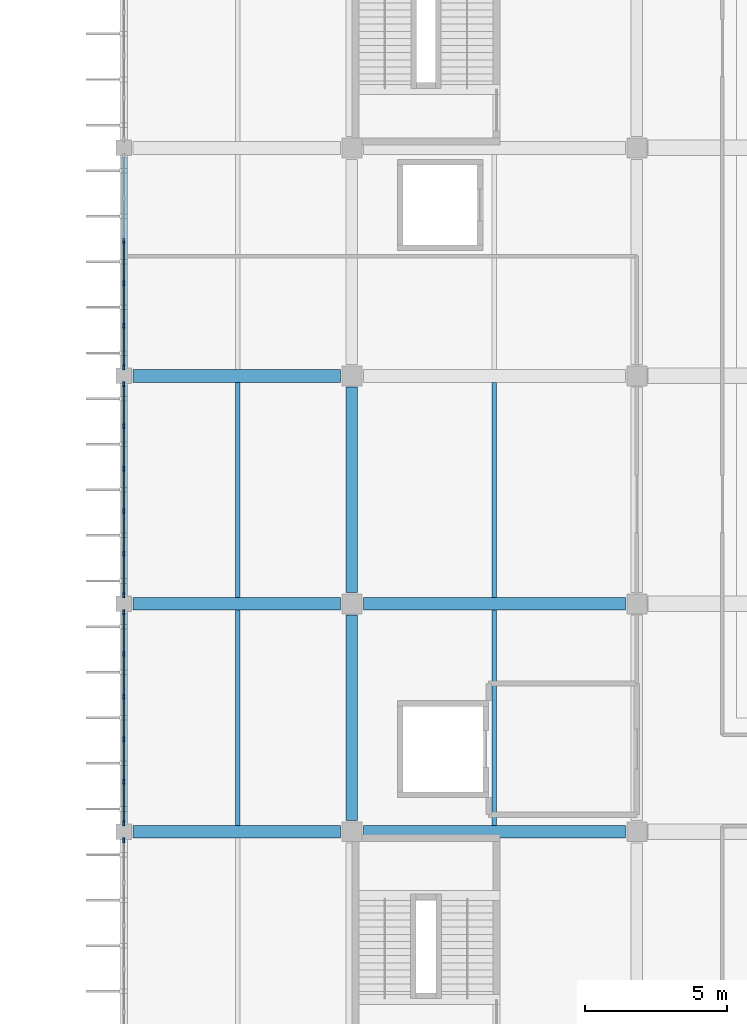
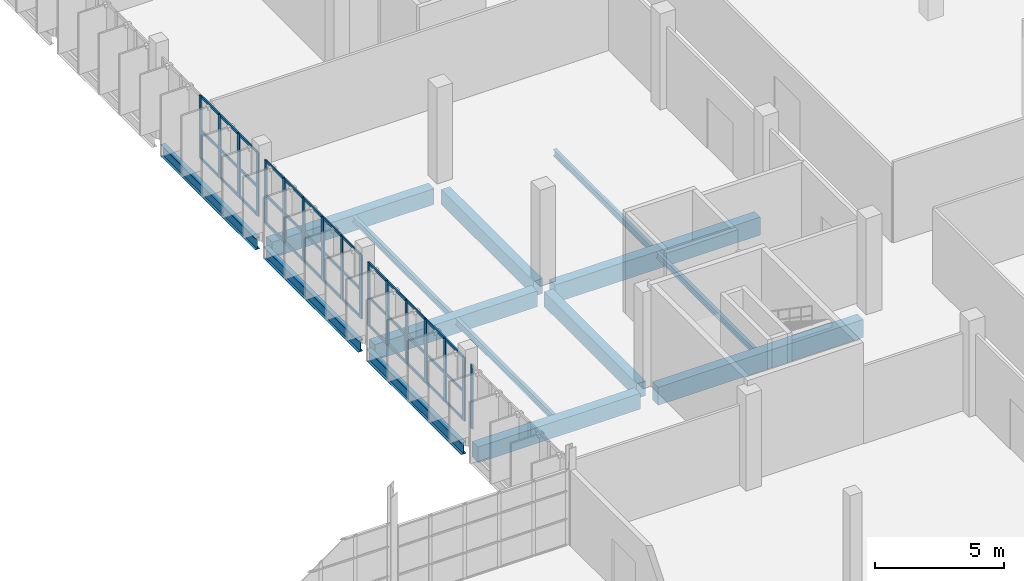
# One storey, part 43 of 93: 56 members, 14 beams, 4 elements without a shape of their own.
"""IFC4 building model written with IfcOpenShell, lengths in metres."""

from ifc_helpers import new_model, si_unit, direction, frame, origin, origin_2d, place, context, subcontext, project, spatial, rectangle, i_section, extrude, material, layer, layer_set, material_profile, profile_set, type_object, element, aggregate, save


model = new_model("IFC4")

# Units and contexts
model_context = context("Model", 3, precision=1e-05, world=origin(), true_north=direction((0.0, 1.0)))
body_context = subcontext(model_context, "Body", "Model", "MODEL_VIEW")
ifc_project = project(units=[si_unit("LENGTHUNIT", "METRE"), si_unit("AREAUNIT", "SQUARE_METRE"), si_unit("VOLUMEUNIT", "CUBIC_METRE"), si_unit("PLANEANGLEUNIT", "RADIAN"), si_unit("MASSUNIT", "GRAM", prefix="KILO")], contexts=[model_context])

# Site, building, storey
site_placement = place(None, origin())
site = spatial("IfcSite", under=ifc_project, at=site_placement, CompositionType="ELEMENT")
building_placement = place(site_placement, origin())
building = spatial("IfcBuilding", under=site, at=building_placement, Name="Drelvana Railside Aquatics Centre", CompositionType="ELEMENT")
storey_placement = place(building_placement, frame((0.0, 0.0, 5.39990234375)))
storey = spatial("IfcBuildingStorey", under=building, at=storey_placement, Name="L01", CompositionType="ELEMENT", Elevation=5.39990234375)

# Curtain wall, member
ifc_material_1 = material(Name="Bronze-anodised aluminium curtain wall", Category="aluminium")
ifc_layer = layer(ifc_material_1, 0.175048828125, Name="Bronze-anodised aluminium curtain wall")
ifc_layer_set = layer_set([ifc_layer], Name="Bronze-anodised aluminium curtain wall")
curtain_wall_type = type_object("IfcCurtainWallType", Name="CW-Z6-WING", PredefinedType="NOTDEFINED", material=ifc_layer_set)
curtain_wall_1_placement = place(storey_placement, origin())
curtain_wall_1 = element("IfcCurtainWall", 1, at=curtain_wall_1_placement, inside=storey, type_object=curtain_wall_type, Name="Curtain wall CW-06-137", PredefinedType="NOTDEFINED")
ifc_material_2 = material(Name="Bronze-anodised aluminium 6063-T6", Category="aluminium")
ifc_material_profile_1 = material_profile(ifc_material_2, rectangle(XDim=0.06494140625, YDim=0.175048828125, at=origin_2d()), Name="ALU-M 65x175")
ifc_profile_set_1 = profile_set([ifc_material_profile_1], Name="Bronze-anodised aluminium 6063-T6")
member_type_1 = type_object("IfcMemberType", Name="CW-Z6-WING-MUL", PredefinedType="MULLION", material=ifc_profile_set_1)
member_1_placement = place(storey_placement, frame((144.0, 31.698486328125, 0.794189453125), z_axis=(0.0, 0.0, 1.0), x_axis=(-1.0, 0.0, 0.0)))
member_1 = element("IfcMember", 2, at=member_1_placement, type_object=member_type_1, Name="CW-06 mullion 6", PredefinedType="MULLION", context=body_context, shape_type="SweptSolid", body=[
    extrude(rectangle(XDim=0.06494140625, YDim=0.175048828125, at=origin_2d()), origin(), (0.0, 0.0, 1.0), 3.005859375),
])
aggregate(curtain_wall_1, [member_1])

# Curtain wall, members
curtain_wall_2_placement = place(storey_placement, origin())
curtain_wall_2 = element("IfcCurtainWall", 3, at=curtain_wall_2_placement, inside=storey, type_object=curtain_wall_type, Name="Curtain wall CW-06-141", PredefinedType="NOTDEFINED")
member_2_placement = place(storey_placement, frame((144.0, 32.301513671875, 0.794189453125), z_axis=(0.0, 0.0, 1.0), x_axis=(-1.0, 0.0, 0.0)))
member_2 = element("IfcMember", 4, at=member_2_placement, type_object=member_type_1, Name="CW-06 mullion 1", PredefinedType="MULLION", context=body_context, shape_type="SweptSolid", body=[
    extrude(rectangle(XDim=0.06494140625, YDim=0.175048828125, at=origin_2d()), origin(), (0.0, 0.0, 1.0), 3.005859375),
])
member_3_placement = place(storey_placement, frame((144.0, 33.761474609375, 0.794189453125), z_axis=(0.0, 0.0, 1.0), x_axis=(-1.0, 0.0, 0.0)))
member_3 = element("IfcMember", 5, at=member_3_placement, type_object=member_type_1, Name="CW-06 mullion 2", PredefinedType="MULLION", context=body_context, shape_type="SweptSolid", body=[
    extrude(rectangle(XDim=0.06494140625, YDim=0.175048828125, at=origin_2d()), origin(), (0.0, 0.0, 1.0), 3.005859375),
])
member_4_placement = place(storey_placement, frame((144.0, 35.25390625, 0.794189453125), z_axis=(0.0, 0.0, 1.0), x_axis=(-1.0, 0.0, 0.0)))
member_4 = element("IfcMember", 6, at=member_4_placement, type_object=member_type_1, Name="CW-06 mullion 3", PredefinedType="MULLION", context=body_context, shape_type="SweptSolid", body=[
    extrude(rectangle(XDim=0.06494140625, YDim=0.175048828125, at=origin_2d()), origin(), (0.0, 0.0, 1.0), 3.005859375),
])
member_5_placement = place(storey_placement, frame((144.0, 36.74609375, 0.794189453125), z_axis=(0.0, 0.0, 1.0), x_axis=(-1.0, 0.0, 0.0)))
member_5 = element("IfcMember", 7, at=member_5_placement, type_object=member_type_1, Name="CW-06 mullion 4", PredefinedType="MULLION", context=body_context, shape_type="SweptSolid", body=[
    extrude(rectangle(XDim=0.06494140625, YDim=0.175048828125, at=origin_2d()), origin(), (0.0, 0.0, 1.0), 3.005859375),
])
member_6_placement = place(storey_placement, frame((144.0, 38.238525390625, 0.794189453125), z_axis=(0.0, 0.0, 1.0), x_axis=(-1.0, 0.0, 0.0)))
member_6 = element("IfcMember", 8, at=member_6_placement, type_object=member_type_1, Name="CW-06 mullion 5", PredefinedType="MULLION", context=body_context, shape_type="SweptSolid", body=[
    extrude(rectangle(XDim=0.06494140625, YDim=0.175048828125, at=origin_2d()), origin(), (0.0, 0.0, 1.0), 3.005859375),
])
member_7_placement = place(storey_placement, frame((144.0, 39.698486328125, 0.794189453125), z_axis=(0.0, 0.0, 1.0), x_axis=(-1.0, 0.0, 0.0)))
member_7 = element("IfcMember", 9, at=member_7_placement, type_object=member_type_1, Name="CW-06 mullion 6", PredefinedType="MULLION", context=body_context, shape_type="SweptSolid", body=[
    extrude(rectangle(XDim=0.06494140625, YDim=0.175048828125, at=origin_2d()), origin(), (0.0, 0.0, 1.0), 3.005859375),
])

curtain_wall_3_placement = place(storey_placement, origin())
curtain_wall_3 = element("IfcCurtainWall", 10, at=curtain_wall_3_placement, inside=storey, type_object=curtain_wall_type, Name="Curtain wall CW-06-145", PredefinedType="NOTDEFINED")
member_8_placement = place(storey_placement, frame((144.0, 40.301513671875, 0.794189453125), z_axis=(0.0, 0.0, 1.0), x_axis=(-1.0, 0.0, 0.0)))
member_8 = element("IfcMember", 11, at=member_8_placement, type_object=member_type_1, Name="CW-06 mullion 1", PredefinedType="MULLION", context=body_context, shape_type="SweptSolid", body=[
    extrude(rectangle(XDim=0.06494140625, YDim=0.175048828125, at=origin_2d()), origin(), (0.0, 0.0, 1.0), 3.005859375),
])
member_9_placement = place(storey_placement, frame((144.0, 41.761474609375, 0.794189453125), z_axis=(0.0, 0.0, 1.0), x_axis=(-1.0, 0.0, 0.0)))
member_9 = element("IfcMember", 12, at=member_9_placement, type_object=member_type_1, Name="CW-06 mullion 2", PredefinedType="MULLION", context=body_context, shape_type="SweptSolid", body=[
    extrude(rectangle(XDim=0.06494140625, YDim=0.175048828125, at=origin_2d()), origin(), (0.0, 0.0, 1.0), 3.005859375),
])
member_10_placement = place(storey_placement, frame((144.0, 43.25390625, 0.794189453125), z_axis=(0.0, 0.0, 1.0), x_axis=(-1.0, 0.0, 0.0)))
member_10 = element("IfcMember", 13, at=member_10_placement, type_object=member_type_1, Name="CW-06 mullion 3", PredefinedType="MULLION", context=body_context, shape_type="SweptSolid", body=[
    extrude(rectangle(XDim=0.06494140625, YDim=0.175048828125, at=origin_2d()), origin(), (0.0, 0.0, 1.0), 3.005859375),
])
member_11_placement = place(storey_placement, frame((144.0, 44.74609375, 0.794189453125), z_axis=(0.0, 0.0, 1.0), x_axis=(-1.0, 0.0, 0.0)))
member_11 = element("IfcMember", 14, at=member_11_placement, type_object=member_type_1, Name="CW-06 mullion 4", PredefinedType="MULLION", context=body_context, shape_type="SweptSolid", body=[
    extrude(rectangle(XDim=0.06494140625, YDim=0.175048828125, at=origin_2d()), origin(), (0.0, 0.0, 1.0), 3.005859375),
])
member_12_placement = place(storey_placement, frame((144.0, 46.238525390625, 0.794189453125), z_axis=(0.0, 0.0, 1.0), x_axis=(-1.0, 0.0, 0.0)))
member_12 = element("IfcMember", 15, at=member_12_placement, type_object=member_type_1, Name="CW-06 mullion 5", PredefinedType="MULLION", context=body_context, shape_type="SweptSolid", body=[
    extrude(rectangle(XDim=0.06494140625, YDim=0.175048828125, at=origin_2d()), origin(), (0.0, 0.0, 1.0), 3.005859375),
])
member_13_placement = place(storey_placement, frame((144.0, 47.698486328125, 0.794189453125), z_axis=(0.0, 0.0, 1.0), x_axis=(-1.0, 0.0, 0.0)))
member_13 = element("IfcMember", 16, at=member_13_placement, type_object=member_type_1, Name="CW-06 mullion 6", PredefinedType="MULLION", context=body_context, shape_type="SweptSolid", body=[
    extrude(rectangle(XDim=0.06494140625, YDim=0.175048828125, at=origin_2d()), origin(), (0.0, 0.0, 1.0), 3.005859375),
])

curtain_wall_4_placement = place(storey_placement, origin())
curtain_wall_4 = element("IfcCurtainWall", 17, at=curtain_wall_4_placement, inside=storey, type_object=curtain_wall_type, Name="Curtain wall CW-06-149", PredefinedType="NOTDEFINED")
member_14_placement = place(storey_placement, frame((144.0, 48.301513671875, 0.794189453125), z_axis=(0.0, 0.0, 1.0), x_axis=(-1.0, 0.0, 0.0)))
member_14 = element("IfcMember", 18, at=member_14_placement, type_object=member_type_1, Name="CW-06 mullion 1", PredefinedType="MULLION", context=body_context, shape_type="SweptSolid", body=[
    extrude(rectangle(XDim=0.06494140625, YDim=0.175048828125, at=origin_2d()), origin(), (0.0, 0.0, 1.0), 3.005859375),
])
member_15_placement = place(storey_placement, frame((144.0, 49.761474609375, 0.794189453125), z_axis=(0.0, 0.0, 1.0), x_axis=(-1.0, 0.0, 0.0)))
member_15 = element("IfcMember", 19, at=member_15_placement, type_object=member_type_1, Name="CW-06 mullion 2", PredefinedType="MULLION", context=body_context, shape_type="SweptSolid", body=[
    extrude(rectangle(XDim=0.06494140625, YDim=0.175048828125, at=origin_2d()), origin(), (0.0, 0.0, 1.0), 3.005859375),
])
member_16_placement = place(storey_placement, frame((144.0, 51.25390625, 0.794189453125), z_axis=(0.0, 0.0, 1.0), x_axis=(-1.0, 0.0, 0.0)))
member_16 = element("IfcMember", 20, at=member_16_placement, type_object=member_type_1, Name="CW-06 mullion 3", PredefinedType="MULLION", context=body_context, shape_type="SweptSolid", body=[
    extrude(rectangle(XDim=0.06494140625, YDim=0.175048828125, at=origin_2d()), origin(), (0.0, 0.0, 1.0), 3.005859375),
])
member_17_placement = place(storey_placement, frame((144.0, 52.74609375, 0.794189453125), z_axis=(0.0, 0.0, 1.0), x_axis=(-1.0, 0.0, 0.0)))
member_17 = element("IfcMember", 21, at=member_17_placement, type_object=member_type_1, Name="CW-06 mullion 4", PredefinedType="MULLION", context=body_context, shape_type="SweptSolid", body=[
    extrude(rectangle(XDim=0.06494140625, YDim=0.175048828125, at=origin_2d()), origin(), (0.0, 0.0, 1.0), 3.005859375),
])

# Member
ifc_material_profile_2 = material_profile(ifc_material_2, rectangle(XDim=0.1201171875, YDim=0.06005859375, at=origin_2d()), Name="ALU-T 60x120")
ifc_profile_set_2 = profile_set([ifc_material_profile_2], Name="Bronze-anodised aluminium 6063-T6")
member_type_2 = type_object("IfcMemberType", Name="CW-Z6-WING-TRN", PredefinedType="USERDEFINED", material=ifc_profile_set_2)
member_18_placement = place(storey_placement, frame((144.0, 32.3291015625, 0.82421875), z_axis=(0.0, 1.0, 0.0), x_axis=(0.0, 0.0, 1.0)))
member_18 = element("IfcMember", 22, at=member_18_placement, type_object=member_type_2, Name="CW-06 transom 1.1", ObjectType="TRANSOM", PredefinedType="USERDEFINED", context=body_context, shape_type="SweptSolid", body=[
    extrude(rectangle(XDim=0.1201171875, YDim=0.06005859375, at=origin_2d()), origin(), (0.0, 0.0, 1.0), 1.40478515625),
])

member_19_placement = place(storey_placement, frame((144.0, 32.3291015625, 2.147216796875), z_axis=(0.0, 1.0, 0.0), x_axis=(0.0, 0.0, 1.0)))
member_19 = element("IfcMember", 23, at=member_19_placement, type_object=member_type_2, Name="CW-06 transom 1.2", ObjectType="TRANSOM", PredefinedType="USERDEFINED", context=body_context, shape_type="SweptSolid", body=[
    extrude(rectangle(XDim=0.1201171875, YDim=0.06005859375, at=origin_2d()), origin(), (0.0, 0.0, 1.0), 1.40478515625),
])

member_20_placement = place(storey_placement, frame((144.0, 32.3291015625, 3.77001953125), z_axis=(0.0, 1.0, 0.0), x_axis=(0.0, 0.0, 1.0)))
member_20 = element("IfcMember", 24, at=member_20_placement, type_object=member_type_2, Name="CW-06 transom 1.3", ObjectType="TRANSOM", PredefinedType="USERDEFINED", context=body_context, shape_type="SweptSolid", body=[
    extrude(rectangle(XDim=0.1201171875, YDim=0.06005859375, at=origin_2d()), origin(), (0.0, 0.0, 1.0), 1.40478515625),
])

member_21_placement = place(storey_placement, frame((144.0, 33.788818359375, 0.82421875), z_axis=(0.0, 1.0, 0.0), x_axis=(0.0, 0.0, 1.0)))
member_21 = element("IfcMember", 25, at=member_21_placement, type_object=member_type_2, Name="CW-06 transom 2.1", ObjectType="TRANSOM", PredefinedType="USERDEFINED", context=body_context, shape_type="SweptSolid", body=[
    extrude(rectangle(XDim=0.1201171875, YDim=0.06005859375, at=origin_2d()), origin(), (0.0, 0.0, 1.0), 1.4375),
])

member_22_placement = place(storey_placement, frame((144.0, 33.788818359375, 2.147216796875), z_axis=(0.0, 1.0, 0.0), x_axis=(0.0, 0.0, 1.0)))
member_22 = element("IfcMember", 26, at=member_22_placement, type_object=member_type_2, Name="CW-06 transom 2.2", ObjectType="TRANSOM", PredefinedType="USERDEFINED", context=body_context, shape_type="SweptSolid", body=[
    extrude(rectangle(XDim=0.1201171875, YDim=0.06005859375, at=origin_2d()), origin(), (0.0, 0.0, 1.0), 1.4375),
])

member_23_placement = place(storey_placement, frame((144.0, 33.788818359375, 3.77001953125), z_axis=(0.0, 1.0, 0.0), x_axis=(0.0, 0.0, 1.0)))
member_23 = element("IfcMember", 27, at=member_23_placement, type_object=member_type_2, Name="CW-06 transom 2.3", ObjectType="TRANSOM", PredefinedType="USERDEFINED", context=body_context, shape_type="SweptSolid", body=[
    extrude(rectangle(XDim=0.1201171875, YDim=0.06005859375, at=origin_2d()), origin(), (0.0, 0.0, 1.0), 1.4375),
])

member_24_placement = place(storey_placement, frame((144.0, 35.28125, 0.82421875), z_axis=(0.0, 1.0, 0.0), x_axis=(0.0, 0.0, 1.0)))
member_24 = element("IfcMember", 28, at=member_24_placement, type_object=member_type_2, Name="CW-06 transom 3.1", ObjectType="TRANSOM", PredefinedType="USERDEFINED", context=body_context, shape_type="SweptSolid", body=[
    extrude(rectangle(XDim=0.1201171875, YDim=0.06005859375, at=origin_2d()), origin(), (0.0, 0.0, 1.0), 1.4375),
])

member_25_placement = place(storey_placement, frame((144.0, 35.28125, 2.147216796875), z_axis=(0.0, 1.0, 0.0), x_axis=(0.0, 0.0, 1.0)))
member_25 = element("IfcMember", 29, at=member_25_placement, type_object=member_type_2, Name="CW-06 transom 3.2", ObjectType="TRANSOM", PredefinedType="USERDEFINED", context=body_context, shape_type="SweptSolid", body=[
    extrude(rectangle(XDim=0.1201171875, YDim=0.06005859375, at=origin_2d()), origin(), (0.0, 0.0, 1.0), 1.4375),
])

member_26_placement = place(storey_placement, frame((144.0, 35.28125, 3.77001953125), z_axis=(0.0, 1.0, 0.0), x_axis=(0.0, 0.0, 1.0)))
member_26 = element("IfcMember", 30, at=member_26_placement, type_object=member_type_2, Name="CW-06 transom 3.3", ObjectType="TRANSOM", PredefinedType="USERDEFINED", context=body_context, shape_type="SweptSolid", body=[
    extrude(rectangle(XDim=0.1201171875, YDim=0.06005859375, at=origin_2d()), origin(), (0.0, 0.0, 1.0), 1.4375),
])

member_27_placement = place(storey_placement, frame((144.0, 36.773681640625, 0.82421875), z_axis=(0.0, 1.0, 0.0), x_axis=(0.0, 0.0, 1.0)))
member_27 = element("IfcMember", 31, at=member_27_placement, type_object=member_type_2, Name="CW-06 transom 4.1", ObjectType="TRANSOM", PredefinedType="USERDEFINED", context=body_context, shape_type="SweptSolid", body=[
    extrude(rectangle(XDim=0.1201171875, YDim=0.06005859375, at=origin_2d()), origin(), (0.0, 0.0, 1.0), 1.4375),
])

member_28_placement = place(storey_placement, frame((144.0, 36.773681640625, 2.147216796875), z_axis=(0.0, 1.0, 0.0), x_axis=(0.0, 0.0, 1.0)))
member_28 = element("IfcMember", 32, at=member_28_placement, type_object=member_type_2, Name="CW-06 transom 4.2", ObjectType="TRANSOM", PredefinedType="USERDEFINED", context=body_context, shape_type="SweptSolid", body=[
    extrude(rectangle(XDim=0.1201171875, YDim=0.06005859375, at=origin_2d()), origin(), (0.0, 0.0, 1.0), 1.4375),
])

member_29_placement = place(storey_placement, frame((144.0, 36.773681640625, 3.77001953125), z_axis=(0.0, 1.0, 0.0), x_axis=(0.0, 0.0, 1.0)))
member_29 = element("IfcMember", 33, at=member_29_placement, type_object=member_type_2, Name="CW-06 transom 4.3", ObjectType="TRANSOM", PredefinedType="USERDEFINED", context=body_context, shape_type="SweptSolid", body=[
    extrude(rectangle(XDim=0.1201171875, YDim=0.06005859375, at=origin_2d()), origin(), (0.0, 0.0, 1.0), 1.4375),
])

member_30_placement = place(storey_placement, frame((144.0, 38.26611328125, 0.82421875), z_axis=(0.0, 1.0, 0.0), x_axis=(0.0, 0.0, 1.0)))
member_30 = element("IfcMember", 34, at=member_30_placement, type_object=member_type_2, Name="CW-06 transom 5.1", ObjectType="TRANSOM", PredefinedType="USERDEFINED", context=body_context, shape_type="SweptSolid", body=[
    extrude(rectangle(XDim=0.1201171875, YDim=0.06005859375, at=origin_2d()), origin(), (0.0, 0.0, 1.0), 1.40478515625),
])

member_31_placement = place(storey_placement, frame((144.0, 38.26611328125, 2.147216796875), z_axis=(0.0, 1.0, 0.0), x_axis=(0.0, 0.0, 1.0)))
member_31 = element("IfcMember", 35, at=member_31_placement, type_object=member_type_2, Name="CW-06 transom 5.2", ObjectType="TRANSOM", PredefinedType="USERDEFINED", context=body_context, shape_type="SweptSolid", body=[
    extrude(rectangle(XDim=0.1201171875, YDim=0.06005859375, at=origin_2d()), origin(), (0.0, 0.0, 1.0), 1.40478515625),
])

member_32_placement = place(storey_placement, frame((144.0, 38.26611328125, 3.77001953125), z_axis=(0.0, 1.0, 0.0), x_axis=(0.0, 0.0, 1.0)))
member_32 = element("IfcMember", 36, at=member_32_placement, type_object=member_type_2, Name="CW-06 transom 5.3", ObjectType="TRANSOM", PredefinedType="USERDEFINED", context=body_context, shape_type="SweptSolid", body=[
    extrude(rectangle(XDim=0.1201171875, YDim=0.06005859375, at=origin_2d()), origin(), (0.0, 0.0, 1.0), 1.40478515625),
])

aggregate(curtain_wall_2, [member_2, member_3, member_4, member_5, member_6, member_7, member_18, member_19, member_20, member_21, member_22, member_23, member_24, member_25, member_26, member_27, member_28, member_29, member_30, member_31, member_32])

member_33_placement = place(storey_placement, frame((144.0, 40.3291015625, 0.82421875), z_axis=(0.0, 1.0, 0.0), x_axis=(0.0, 0.0, 1.0)))
member_33 = element("IfcMember", 37, at=member_33_placement, type_object=member_type_2, Name="CW-06 transom 1.1", ObjectType="TRANSOM", PredefinedType="USERDEFINED", context=body_context, shape_type="SweptSolid", body=[
    extrude(rectangle(XDim=0.1201171875, YDim=0.06005859375, at=origin_2d()), origin(), (0.0, 0.0, 1.0), 1.40478515625),
])

member_34_placement = place(storey_placement, frame((144.0, 40.3291015625, 2.147216796875), z_axis=(0.0, 1.0, 0.0), x_axis=(0.0, 0.0, 1.0)))
member_34 = element("IfcMember", 38, at=member_34_placement, type_object=member_type_2, Name="CW-06 transom 1.2", ObjectType="TRANSOM", PredefinedType="USERDEFINED", context=body_context, shape_type="SweptSolid", body=[
    extrude(rectangle(XDim=0.1201171875, YDim=0.06005859375, at=origin_2d()), origin(), (0.0, 0.0, 1.0), 1.40478515625),
])

member_35_placement = place(storey_placement, frame((144.0, 40.3291015625, 3.77001953125), z_axis=(0.0, 1.0, 0.0), x_axis=(0.0, 0.0, 1.0)))
member_35 = element("IfcMember", 39, at=member_35_placement, type_object=member_type_2, Name="CW-06 transom 1.3", ObjectType="TRANSOM", PredefinedType="USERDEFINED", context=body_context, shape_type="SweptSolid", body=[
    extrude(rectangle(XDim=0.1201171875, YDim=0.06005859375, at=origin_2d()), origin(), (0.0, 0.0, 1.0), 1.40478515625),
])

member_36_placement = place(storey_placement, frame((144.0, 41.788818359375, 0.82421875), z_axis=(0.0, 1.0, 0.0), x_axis=(0.0, 0.0, 1.0)))
member_36 = element("IfcMember", 40, at=member_36_placement, type_object=member_type_2, Name="CW-06 transom 2.1", ObjectType="TRANSOM", PredefinedType="USERDEFINED", context=body_context, shape_type="SweptSolid", body=[
    extrude(rectangle(XDim=0.1201171875, YDim=0.06005859375, at=origin_2d()), origin(), (0.0, 0.0, 1.0), 1.4375),
])

member_37_placement = place(storey_placement, frame((144.0, 41.788818359375, 2.147216796875), z_axis=(0.0, 1.0, 0.0), x_axis=(0.0, 0.0, 1.0)))
member_37 = element("IfcMember", 41, at=member_37_placement, type_object=member_type_2, Name="CW-06 transom 2.2", ObjectType="TRANSOM", PredefinedType="USERDEFINED", context=body_context, shape_type="SweptSolid", body=[
    extrude(rectangle(XDim=0.1201171875, YDim=0.06005859375, at=origin_2d()), origin(), (0.0, 0.0, 1.0), 1.4375),
])

member_38_placement = place(storey_placement, frame((144.0, 41.788818359375, 3.77001953125), z_axis=(0.0, 1.0, 0.0), x_axis=(0.0, 0.0, 1.0)))
member_38 = element("IfcMember", 42, at=member_38_placement, type_object=member_type_2, Name="CW-06 transom 2.3", ObjectType="TRANSOM", PredefinedType="USERDEFINED", context=body_context, shape_type="SweptSolid", body=[
    extrude(rectangle(XDim=0.1201171875, YDim=0.06005859375, at=origin_2d()), origin(), (0.0, 0.0, 1.0), 1.4375),
])

member_39_placement = place(storey_placement, frame((144.0, 43.28125, 0.82421875), z_axis=(0.0, 1.0, 0.0), x_axis=(0.0, 0.0, 1.0)))
member_39 = element("IfcMember", 43, at=member_39_placement, type_object=member_type_2, Name="CW-06 transom 3.1", ObjectType="TRANSOM", PredefinedType="USERDEFINED", context=body_context, shape_type="SweptSolid", body=[
    extrude(rectangle(XDim=0.1201171875, YDim=0.06005859375, at=origin_2d()), origin(), (0.0, 0.0, 1.0), 1.4375),
])

member_40_placement = place(storey_placement, frame((144.0, 43.28125, 2.147216796875), z_axis=(0.0, 1.0, 0.0), x_axis=(0.0, 0.0, 1.0)))
member_40 = element("IfcMember", 44, at=member_40_placement, type_object=member_type_2, Name="CW-06 transom 3.2", ObjectType="TRANSOM", PredefinedType="USERDEFINED", context=body_context, shape_type="SweptSolid", body=[
    extrude(rectangle(XDim=0.1201171875, YDim=0.06005859375, at=origin_2d()), origin(), (0.0, 0.0, 1.0), 1.4375),
])

member_41_placement = place(storey_placement, frame((144.0, 43.28125, 3.77001953125), z_axis=(0.0, 1.0, 0.0), x_axis=(0.0, 0.0, 1.0)))
member_41 = element("IfcMember", 45, at=member_41_placement, type_object=member_type_2, Name="CW-06 transom 3.3", ObjectType="TRANSOM", PredefinedType="USERDEFINED", context=body_context, shape_type="SweptSolid", body=[
    extrude(rectangle(XDim=0.1201171875, YDim=0.06005859375, at=origin_2d()), origin(), (0.0, 0.0, 1.0), 1.4375),
])

member_42_placement = place(storey_placement, frame((144.0, 44.773681640625, 0.82421875), z_axis=(0.0, 1.0, 0.0), x_axis=(0.0, 0.0, 1.0)))
member_42 = element("IfcMember", 46, at=member_42_placement, type_object=member_type_2, Name="CW-06 transom 4.1", ObjectType="TRANSOM", PredefinedType="USERDEFINED", context=body_context, shape_type="SweptSolid", body=[
    extrude(rectangle(XDim=0.1201171875, YDim=0.06005859375, at=origin_2d()), origin(), (0.0, 0.0, 1.0), 1.4375),
])

member_43_placement = place(storey_placement, frame((144.0, 44.773681640625, 2.147216796875), z_axis=(0.0, 1.0, 0.0), x_axis=(0.0, 0.0, 1.0)))
member_43 = element("IfcMember", 47, at=member_43_placement, type_object=member_type_2, Name="CW-06 transom 4.2", ObjectType="TRANSOM", PredefinedType="USERDEFINED", context=body_context, shape_type="SweptSolid", body=[
    extrude(rectangle(XDim=0.1201171875, YDim=0.06005859375, at=origin_2d()), origin(), (0.0, 0.0, 1.0), 1.4375),
])

member_44_placement = place(storey_placement, frame((144.0, 44.773681640625, 3.77001953125), z_axis=(0.0, 1.0, 0.0), x_axis=(0.0, 0.0, 1.0)))
member_44 = element("IfcMember", 48, at=member_44_placement, type_object=member_type_2, Name="CW-06 transom 4.3", ObjectType="TRANSOM", PredefinedType="USERDEFINED", context=body_context, shape_type="SweptSolid", body=[
    extrude(rectangle(XDim=0.1201171875, YDim=0.06005859375, at=origin_2d()), origin(), (0.0, 0.0, 1.0), 1.4375),
])

member_45_placement = place(storey_placement, frame((144.0, 46.26611328125, 0.82421875), z_axis=(0.0, 1.0, 0.0), x_axis=(0.0, 0.0, 1.0)))
member_45 = element("IfcMember", 49, at=member_45_placement, type_object=member_type_2, Name="CW-06 transom 5.1", ObjectType="TRANSOM", PredefinedType="USERDEFINED", context=body_context, shape_type="SweptSolid", body=[
    extrude(rectangle(XDim=0.1201171875, YDim=0.06005859375, at=origin_2d()), origin(), (0.0, 0.0, 1.0), 1.40478515625),
])

member_46_placement = place(storey_placement, frame((144.0, 46.26611328125, 2.147216796875), z_axis=(0.0, 1.0, 0.0), x_axis=(0.0, 0.0, 1.0)))
member_46 = element("IfcMember", 50, at=member_46_placement, type_object=member_type_2, Name="CW-06 transom 5.2", ObjectType="TRANSOM", PredefinedType="USERDEFINED", context=body_context, shape_type="SweptSolid", body=[
    extrude(rectangle(XDim=0.1201171875, YDim=0.06005859375, at=origin_2d()), origin(), (0.0, 0.0, 1.0), 1.40478515625),
])

member_47_placement = place(storey_placement, frame((144.0, 46.26611328125, 3.77001953125), z_axis=(0.0, 1.0, 0.0), x_axis=(0.0, 0.0, 1.0)))
member_47 = element("IfcMember", 51, at=member_47_placement, type_object=member_type_2, Name="CW-06 transom 5.3", ObjectType="TRANSOM", PredefinedType="USERDEFINED", context=body_context, shape_type="SweptSolid", body=[
    extrude(rectangle(XDim=0.1201171875, YDim=0.06005859375, at=origin_2d()), origin(), (0.0, 0.0, 1.0), 1.40478515625),
])

aggregate(curtain_wall_3, [member_8, member_9, member_10, member_11, member_12, member_13, member_33, member_34, member_35, member_36, member_37, member_38, member_39, member_40, member_41, member_42, member_43, member_44, member_45, member_46, member_47])

member_48_placement = place(storey_placement, frame((144.0, 48.3291015625, 0.82421875), z_axis=(0.0, 1.0, 0.0), x_axis=(0.0, 0.0, 1.0)))
member_48 = element("IfcMember", 52, at=member_48_placement, type_object=member_type_2, Name="CW-06 transom 1.1", ObjectType="TRANSOM", PredefinedType="USERDEFINED", context=body_context, shape_type="SweptSolid", body=[
    extrude(rectangle(XDim=0.1201171875, YDim=0.06005859375, at=origin_2d()), origin(), (0.0, 0.0, 1.0), 1.40478515625),
])

member_49_placement = place(storey_placement, frame((144.0, 48.3291015625, 2.147216796875), z_axis=(0.0, 1.0, 0.0), x_axis=(0.0, 0.0, 1.0)))
member_49 = element("IfcMember", 53, at=member_49_placement, type_object=member_type_2, Name="CW-06 transom 1.2", ObjectType="TRANSOM", PredefinedType="USERDEFINED", context=body_context, shape_type="SweptSolid", body=[
    extrude(rectangle(XDim=0.1201171875, YDim=0.06005859375, at=origin_2d()), origin(), (0.0, 0.0, 1.0), 1.40478515625),
])

member_50_placement = place(storey_placement, frame((144.0, 48.3291015625, 3.77001953125), z_axis=(0.0, 1.0, 0.0), x_axis=(0.0, 0.0, 1.0)))
member_50 = element("IfcMember", 54, at=member_50_placement, type_object=member_type_2, Name="CW-06 transom 1.3", ObjectType="TRANSOM", PredefinedType="USERDEFINED", context=body_context, shape_type="SweptSolid", body=[
    extrude(rectangle(XDim=0.1201171875, YDim=0.06005859375, at=origin_2d()), origin(), (0.0, 0.0, 1.0), 1.40478515625),
])

member_51_placement = place(storey_placement, frame((144.0, 49.788818359375, 0.82421875), z_axis=(0.0, 1.0, 0.0), x_axis=(0.0, 0.0, 1.0)))
member_51 = element("IfcMember", 55, at=member_51_placement, type_object=member_type_2, Name="CW-06 transom 2.1", ObjectType="TRANSOM", PredefinedType="USERDEFINED", context=body_context, shape_type="SweptSolid", body=[
    extrude(rectangle(XDim=0.1201171875, YDim=0.06005859375, at=origin_2d()), origin(), (0.0, 0.0, 1.0), 1.4375),
])

member_52_placement = place(storey_placement, frame((144.0, 49.788818359375, 2.147216796875), z_axis=(0.0, 1.0, 0.0), x_axis=(0.0, 0.0, 1.0)))
member_52 = element("IfcMember", 56, at=member_52_placement, type_object=member_type_2, Name="CW-06 transom 2.2", ObjectType="TRANSOM", PredefinedType="USERDEFINED", context=body_context, shape_type="SweptSolid", body=[
    extrude(rectangle(XDim=0.1201171875, YDim=0.06005859375, at=origin_2d()), origin(), (0.0, 0.0, 1.0), 1.4375),
])

member_53_placement = place(storey_placement, frame((144.0, 49.788818359375, 3.77001953125), z_axis=(0.0, 1.0, 0.0), x_axis=(0.0, 0.0, 1.0)))
member_53 = element("IfcMember", 57, at=member_53_placement, type_object=member_type_2, Name="CW-06 transom 2.3", ObjectType="TRANSOM", PredefinedType="USERDEFINED", context=body_context, shape_type="SweptSolid", body=[
    extrude(rectangle(XDim=0.1201171875, YDim=0.06005859375, at=origin_2d()), origin(), (0.0, 0.0, 1.0), 1.4375),
])

member_54_placement = place(storey_placement, frame((144.0, 51.28125, 0.82421875), z_axis=(0.0, 1.0, 0.0), x_axis=(0.0, 0.0, 1.0)))
member_54 = element("IfcMember", 58, at=member_54_placement, type_object=member_type_2, Name="CW-06 transom 3.1", ObjectType="TRANSOM", PredefinedType="USERDEFINED", context=body_context, shape_type="SweptSolid", body=[
    extrude(rectangle(XDim=0.1201171875, YDim=0.06005859375, at=origin_2d()), origin(), (0.0, 0.0, 1.0), 1.4375),
])

member_55_placement = place(storey_placement, frame((144.0, 51.28125, 2.147216796875), z_axis=(0.0, 1.0, 0.0), x_axis=(0.0, 0.0, 1.0)))
member_55 = element("IfcMember", 59, at=member_55_placement, type_object=member_type_2, Name="CW-06 transom 3.2", ObjectType="TRANSOM", PredefinedType="USERDEFINED", context=body_context, shape_type="SweptSolid", body=[
    extrude(rectangle(XDim=0.1201171875, YDim=0.06005859375, at=origin_2d()), origin(), (0.0, 0.0, 1.0), 1.4375),
])

member_56_placement = place(storey_placement, frame((144.0, 51.28125, 3.77001953125), z_axis=(0.0, 1.0, 0.0), x_axis=(0.0, 0.0, 1.0)))
member_56 = element("IfcMember", 60, at=member_56_placement, type_object=member_type_2, Name="CW-06 transom 3.3", ObjectType="TRANSOM", PredefinedType="USERDEFINED", context=body_context, shape_type="SweptSolid", body=[
    extrude(rectangle(XDim=0.1201171875, YDim=0.06005859375, at=origin_2d()), origin(), (0.0, 0.0, 1.0), 1.4375),
])

aggregate(curtain_wall_4, [member_14, member_15, member_16, member_17, member_48, member_49, member_50, member_51, member_52, member_53, member_54, member_55, member_56])

# Beams
ifc_material_3 = material(Name="Concrete C40/50", Category="concrete")
ifc_material_profile_3 = material_profile(ifc_material_3, rectangle(XDim=0.39990234375, YDim=0.699951171875, at=origin_2d()), Name="RC 400x700")
ifc_profile_set_3 = profile_set([ifc_material_profile_3], Name="Concrete C40/50")
beam_type_1 = type_object("IfcBeamType", Name="STR-BM-BM-03-RC-400x700", PredefinedType="BEAM", material=ifc_profile_set_3)
for number, where, z_axis, x_axis, name in (
    (61, (152.0, 32.39990234375, -0.625), (0.0, 1.0, 0.0), (-1.0, 0.0, 0.0), "Girder BM-03 (L01)"),
    (62, (152.0, 40.39990234375, -0.625), (0.0, 1.0, 0.0), (-1.0, 0.0, 0.0), "Girder BM-03 (L01)"),
):
    element("IfcBeam", number, at=place(storey_placement, frame(where, z_axis=z_axis, x_axis=x_axis)), inside=storey, type_object=beam_type_1, Name=name, PredefinedType="BEAM", context=body_context, shape_type="SweptSolid", body=[
        extrude(rectangle(XDim=0.39990234375, YDim=0.699951171875, at=origin_2d()), origin(), (0.0, 0.0, 1.0), 7.2001953125),
    ])
ifc_material_profile_4 = material_profile(ifc_material_3, rectangle(XDim=0.449951171875, YDim=0.75, at=origin_2d()), Name="RC 450x750")
ifc_profile_set_4 = profile_set([ifc_material_profile_4], Name="Concrete C40/50")
beam_type_2 = type_object("IfcBeamType", Name="STR-BM-BM-04-RC-450x750", PredefinedType="BEAM", material=ifc_profile_set_4)
for number, where, z_axis, x_axis, name in (
    (63, (144.324951171875, 32.0, -0.64990234375), (1.0, 0.0, 0.0), (0.0, 1.0, 0.0), "Girder BM-04 (L01)"),
    (64, (144.324951171875, 40.0, -0.64990234375), (1.0, 0.0, 0.0), (0.0, 1.0, 0.0), "Girder BM-04 (L01)"),
    (65, (144.324951171875, 48.0, -0.64990234375), (1.0, 0.0, 0.0), (0.0, 1.0, 0.0), "Girder BM-04 (L01)"),
):
    element("IfcBeam", number, at=place(storey_placement, frame(where, z_axis=z_axis, x_axis=x_axis)), inside=storey, type_object=beam_type_2, Name=name, PredefinedType="BEAM", context=body_context, shape_type="SweptSolid", body=[
        extrude(rectangle(XDim=0.449951171875, YDim=0.75, at=origin_2d()), origin(), (0.0, 0.0, 1.0), 7.275146484375),
    ])
ifc_material_profile_5 = material_profile(ifc_material_3, rectangle(XDim=0.449951171875, YDim=0.85009765625, at=origin_2d()), Name="RC 450x850")
ifc_profile_set_5 = profile_set([ifc_material_profile_5], Name="Concrete C40/50")
beam_type_3 = type_object("IfcBeamType", Name="STR-BM-BM-05-RC-450x850", PredefinedType="BEAM", material=ifc_profile_set_5)
for number, where, z_axis, x_axis, name in (
    (66, (152.39990234375, 32.0, -0.699951171875), (1.0, 0.0, 0.0), (0.0, 1.0, 0.0), "Girder BM-05 (L01)"),
    (67, (152.39990234375, 40.0, -0.699951171875), (1.0, 0.0, 0.0), (0.0, 1.0, 0.0), "Girder BM-05 (L01)"),
):
    element("IfcBeam", number, at=place(storey_placement, frame(where, z_axis=z_axis, x_axis=x_axis)), inside=storey, type_object=beam_type_3, Name=name, PredefinedType="BEAM", context=body_context, shape_type="SweptSolid", body=[
        extrude(rectangle(XDim=0.449951171875, YDim=0.85009765625, at=origin_2d()), origin(), (0.0, 0.0, 1.0), 9.2001953125),
    ])
ifc_material_4 = material(Name="Structural steel S355", Category="steel")
ifc_material_profile_6 = material_profile(ifc_material_4, i_section(OverallWidth=0.2099609375, OverallDepth=0.550048828125, WebThickness=0.010986328125, FlangeThickness=0.01708984375, at=origin_2d()), Name="IPE 550")
ifc_profile_set_6 = profile_set([ifc_material_profile_6], Name="Structural steel S355")
beam_type_4 = type_object("IfcBeamType", Name="STR-SBM-SB-04-IPE-550", PredefinedType="SPANDREL", material=ifc_profile_set_6)
for number, where, z_axis, x_axis, name in (
    (68, (144.0, 32.324951171875, -0.5498046875), (0.0, 1.0, 0.0), (-1.0, 0.0, 0.0), "Girder SB-04 (L01)"),
    (69, (144.0, 40.324951171875, -0.5498046875), (0.0, 1.0, 0.0), (-1.0, 0.0, 0.0), "Girder SB-04 (L01)"),
    (70, (144.0, 48.324951171875, -0.5498046875), (0.0, 1.0, 0.0), (-1.0, 0.0, 0.0), "Girder SB-04 (L01)"),
):
    element("IfcBeam", number, at=place(storey_placement, frame(where, z_axis=z_axis, x_axis=x_axis)), inside=storey, type_object=beam_type_4, Name=name, PredefinedType="SPANDREL", context=body_context, shape_type="SweptSolid", body=[
        extrude(i_section(OverallWidth=0.2099609375, OverallDepth=0.550048828125, WebThickness=0.010986328125, FlangeThickness=0.01708984375, at=origin_2d()), origin(), (0.0, 0.0, 1.0), 7.35009765625),
    ])
ifc_material_profile_7 = material_profile(ifc_material_4, i_section(OverallWidth=0.14990234375, OverallDepth=0.300048828125, WebThickness=0.007080078125, FlangeThickness=0.0107421875, at=origin_2d()), Name="IPE 300")
ifc_profile_set_7 = profile_set([ifc_material_profile_7], Name="Structural steel S355")
beam_type_5 = type_object("IfcBeamType", Name="STR-SBM-SJ-03-IPE-300", PredefinedType="JOIST", material=ifc_profile_set_7)
for number, where, z_axis, x_axis, name in (
    (71, (148.0, 32.22509765625, -0.4248046875), (0.0, 1.0, 0.0), (-1.0, 0.0, 0.0), "Secondary floor joist SJ-03 (L01)"),
    (72, (148.0, 40.22509765625, -0.4248046875), (0.0, 1.0, 0.0), (-1.0, 0.0, 0.0), "Secondary floor joist SJ-03 (L01)"),
    (73, (157.0, 32.22509765625, -0.4248046875), (0.0, 1.0, 0.0), (-1.0, 0.0, 0.0), "Secondary floor joist SJ-03 (L01)"),
    (74, (157.0, 40.22509765625, -0.4248046875), (0.0, 1.0, 0.0), (-1.0, 0.0, 0.0), "Secondary floor joist SJ-03 (L01)"),
):
    element("IfcBeam", number, at=place(storey_placement, frame(where, z_axis=z_axis, x_axis=x_axis)), inside=storey, type_object=beam_type_5, Name=name, PredefinedType="JOIST", context=body_context, shape_type="SweptSolid", body=[
        extrude(i_section(OverallWidth=0.14990234375, OverallDepth=0.300048828125, WebThickness=0.007080078125, FlangeThickness=0.0107421875, at=origin_2d()), origin(), (0.0, 0.0, 1.0), 7.5498046875),
    ])

save(model, "model.ifc")
